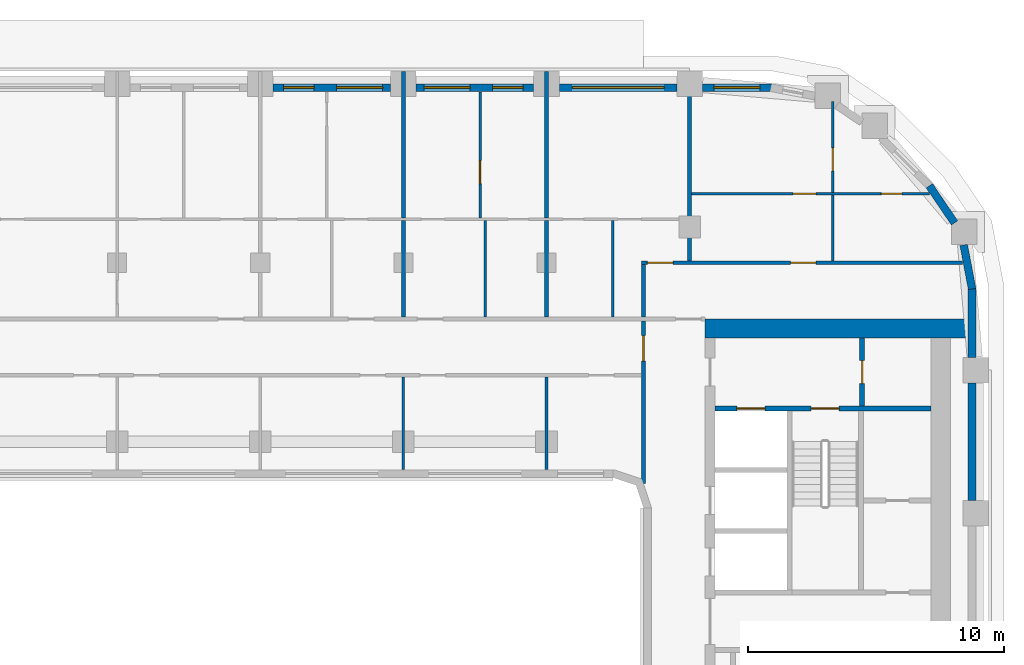
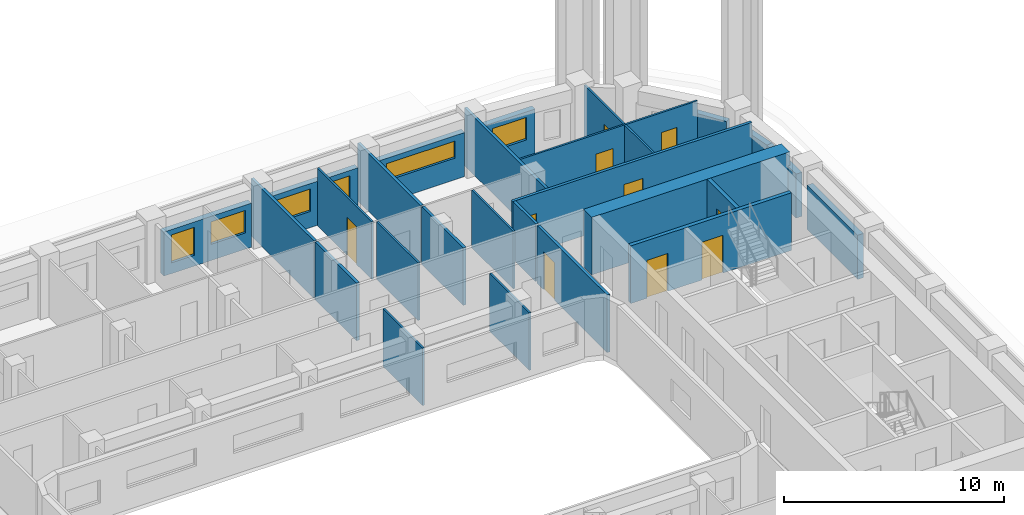
# One storey, part 9 of 22: 27 walls, 10 doors, 6 windows, 16 openings.
"""IFC4 building model written with IfcOpenShell, lengths in metres."""

from ifc_helpers import new_model, si_unit, direction, frame, frame_2d, origin, place, context, subcontext, project, spatial, rectangle, extrude, material, layer, layer_set, type_object, element, fill, save


model = new_model("IFC4")

# Units and contexts
model_context = context("Model", 3, precision=1e-05, world=origin(), true_north=direction((0.0, 1.0)))
body_context = subcontext(model_context, "Body", "Model", "MODEL_VIEW")
ifc_project = project(units=[si_unit("LENGTHUNIT", "METRE"), si_unit("AREAUNIT", "SQUARE_METRE"), si_unit("VOLUMEUNIT", "CUBIC_METRE"), si_unit("PLANEANGLEUNIT", "RADIAN"), si_unit("MASSUNIT", "GRAM", prefix="KILO")], contexts=[model_context])

# Site, building, storey
site_placement = place(None, origin())
site = spatial("IfcSite", under=ifc_project, at=site_placement, CompositionType="ELEMENT")
building_placement = place(site_placement, origin())
building = spatial("IfcBuilding", under=site, at=building_placement, Name="Kiln Ring Residences", CompositionType="ELEMENT")
storey_placement = place(building_placement, frame((0.0, 0.0, 160.60009765625)))
storey = spatial("IfcBuildingStorey", under=building, at=storey_placement, Name="L41", CompositionType="ELEMENT", Elevation=160.60009765625)

# Wall, opening, door
ifc_material_1 = material(Name="Gypsum board on steel studs", Category="steel")
ifc_layer_1 = layer(ifc_material_1, 0.199951171875)
ifc_layer_set_1 = layer_set([ifc_layer_1], Name="CORE-PARTITION-200")
wall_type_1 = type_object("IfcWallType", Name="CORE-PARTITION-200", PredefinedType="PARTITIONING", material=ifc_layer_set_1)
wall_1_placement = place(storey_placement, frame((23.550048828125, 9.800048828125, 0.0), z_axis=(0.0, 0.0, 1.0), x_axis=(0.0, 1.0, 0.0)))
wall_1 = element("IfcWall", 1, at=wall_1_placement, inside=storey, type_object=wall_type_1, Name="Core partition east L41 4", PredefinedType="PARTITIONING", context=body_context, shape_type="SweptSolid", body=[
    extrude(rectangle(XDim=2.64990234375, YDim=0.199951171875, at=frame_2d((1.324951171875, 0.0))), origin(), (0.0, 0.0, 1.0), 3.199951171875),
])
opening_1_placement = place(wall_1_placement, frame((0.875, 0.0, 0.0)))
opening_1 = element("IfcOpeningElement", 2, at=opening_1_placement, cuts=wall_1, Name="Opening L41-CE09", PredefinedType="OPENING", context=body_context, shape_type="SweptSolid", body=[
    extrude(rectangle(XDim=0.89990234375, YDim=2.10009765625, at=frame_2d((0.449951171875, 1.050048828125))), frame((0.0, 0.10986328125, 0.0), z_axis=(0.0, -1.0, 0.0), x_axis=(1.0, 0.0, 0.0)), (0.0, 0.0, 1.0), 0.219970703125),
])
ifc_material_2 = material(Name="Steel door leaf", Category="steel")
door_type_1 = type_object("IfcDoorType", Name="CORE-DOOR-ROOM", OperationType="SINGLE_SWING_LEFT", PredefinedType="DOOR", material=ifc_material_2)
door_1_placement = place(opening_1_placement, origin())
door_1 = element("IfcDoor", 3, at=door_1_placement, inside=storey, type_object=door_type_1, Name="Fire riser room L41-CE09", OperationType="SINGLE_SWING_RIGHT", OverallHeight=2.10009765625, OverallWidth=0.89990234375, PredefinedType="DOOR", context=body_context, shape_type="SweptSolid", body=[
    extrude(rectangle(XDim=0.89990234375, YDim=2.10009765625, at=frame_2d((0.449951171875, 1.050048828125))), frame((0.0, 0.02490234375, 0.0), z_axis=(0.0, -1.0, 0.0), x_axis=(1.0, 0.0, 0.0)), (0.0, 0.0, 1.0), 0.050048828125),
])
fill(opening_1, door_1)

# Wall, openings, doors
ifc_material_3 = material(Name="Concrete C40/50", Category="concrete")
ifc_layer_2 = layer(ifc_material_3, 0.199951171875)
ifc_layer_set_2 = layer_set([ifc_layer_2], Name="CORE-WALL-RC200")
wall_type_2 = type_object("IfcWallType", Name="CORE-WALL-RC200", PredefinedType="SHEAR", material=ifc_layer_set_2)
wall_2_placement = place(storey_placement, frame((17.800048828125, 9.699951171875, 0.0), z_axis=(0.0, 0.0, 1.0), x_axis=(1.0, 0.0, 0.0)))
wall_2 = element("IfcWall", 4, at=wall_2_placement, inside=storey, type_object=wall_type_2, Name="Core wall east L41 9", PredefinedType="SHEAR", context=body_context, shape_type="SweptSolid", body=[
    extrude(rectangle(XDim=8.449951171875, YDim=0.199951171875, at=frame_2d((4.22509765625, 0.0))), origin(), (0.0, 0.0, 1.0), 3.199951171875),
])
opening_2_placement = place(wall_2_placement, frame((0.85009765625, 0.0, 0.0)))
opening_2 = element("IfcOpeningElement", 5, at=opening_2_placement, cuts=wall_2, Name="Opening L41-CE06", PredefinedType="OPENING", context=body_context, shape_type="SweptSolid", body=[
    extrude(rectangle(XDim=1.10009765625, YDim=2.10009765625, at=frame_2d((0.550048828125, 1.050048828125))), frame((0.0, 0.10986328125, 0.0), z_axis=(0.0, -1.0, 0.0), x_axis=(1.0, 0.0, 0.0)), (0.0, 0.0, 1.0), 0.219970703125),
])
opening_3_placement = place(wall_2_placement, frame((3.75, 0.0, 0.0)))
opening_3 = element("IfcOpeningElement", 6, at=opening_3_placement, cuts=wall_2, Name="Opening L41-CE11", PredefinedType="OPENING", context=body_context, shape_type="SweptSolid", body=[
    extrude(rectangle(XDim=1.10009765625, YDim=2.10009765625, at=frame_2d((0.550048828125, 1.050048828125))), frame((0.0, 0.10986328125, 0.0), z_axis=(0.0, -1.0, 0.0), x_axis=(1.0, 0.0, 0.0)), (0.0, 0.0, 1.0), 0.219970703125),
])
ifc_material_4 = material(Name="Steel door leaf", Category="steel")
door_type_2 = type_object("IfcDoorType", Name="CORE-DOOR-LD", OperationType="DOUBLE_DOOR_SLIDING", PredefinedType="DOOR", material=ifc_material_4)
door_2_placement = place(opening_2_placement, origin())
door_2 = element("IfcDoor", 7, at=door_2_placement, inside=storey, type_object=door_type_2, Name="LD E-FF L41-CE06", OperationType="DOUBLE_DOOR_SLIDING", OverallHeight=2.10009765625, OverallWidth=1.10009765625, PredefinedType="DOOR", context=body_context, shape_type="SweptSolid", body=[
    extrude(rectangle(XDim=1.10009765625, YDim=2.10009765625, at=frame_2d((0.550048828125, 1.050048828125))), frame((0.0, 0.02490234375, 0.0), z_axis=(0.0, -1.0, 0.0), x_axis=(1.0, 0.0, 0.0)), (0.0, 0.0, 1.0), 0.050048828125),
])
fill(opening_2, door_2)
ifc_material_5 = material(Name="Steel door leaf", Category="steel")
door_type_3 = type_object("IfcDoorType", Name="CORE-DOOR-STAIR", OperationType="SINGLE_SWING_LEFT", PredefinedType="DOOR", material=ifc_material_5)
door_3_placement = place(opening_3_placement, origin())
door_3 = element("IfcDoor", 8, at=door_3_placement, inside=storey, type_object=door_type_3, Name="Stair E-STN L41-CE11", OperationType="SINGLE_SWING_RIGHT", OverallHeight=2.10009765625, OverallWidth=1.10009765625, PredefinedType="DOOR", context=body_context, shape_type="SweptSolid", body=[
    extrude(rectangle(XDim=1.10009765625, YDim=2.10009765625, at=frame_2d((0.550048828125, 1.050048828125))), frame((0.0, 0.02490234375, 0.0), z_axis=(0.0, -1.0, 0.0), x_axis=(1.0, 0.0, 0.0)), (0.0, 0.0, 1.0), 0.050048828125),
])
fill(opening_3, door_3)

# Walls
ifc_material_6 = material(Name="Concrete C60/75", Category="concrete")
ifc_layer_3 = layer(ifc_material_6, 0.75)
ifc_layer_set_3 = layer_set([ifc_layer_3], Name="CORE-WALL-RC750")
wall_type_3 = type_object("IfcWallType", Name="CORE-WALL-RC750", PredefinedType="SHEAR", material=ifc_layer_set_3)
wall_3_placement = place(storey_placement, frame((17.39990234375, 12.824951171875, 0.0), z_axis=(0.0, 0.0, 1.0), x_axis=(1.0, 0.0, 0.0)))
element("IfcWall", 9, at=wall_3_placement, inside=storey, type_object=wall_type_3, Name="Core wall east L41 4", PredefinedType="SHEAR", context=body_context, shape_type="SweptSolid", body=[
    extrude(rectangle(XDim=10.400146484375, YDim=0.75, at=frame_2d((5.2001953125, 0.0))), origin(), (0.0, 0.0, 1.0), 3.199951171875),
])
ifc_material_7 = material(Name="Brick masonry, dark clay brick", Category="masonry")
ifc_layer_4 = layer(ifc_material_7, 0.300048828125)
ifc_layer_set_4 = layer_set([ifc_layer_4], Name="EW-300 BRICK WALL")
wall_type_4 = type_object("IfcWallType", Name="EW-300 BRICK WALL", PredefinedType="SOLIDWALL", material=ifc_layer_set_4)
wall_4_placement = place(storey_placement, frame((27.85009765625, 6.10009765625, 0.0), z_axis=(0.0, 0.0, 1.0), x_axis=(0.0, 1.0, 0.0)))
element("IfcWall", 10, at=wall_4_placement, inside=storey, type_object=wall_type_4, Name="Facade wall L41 21", PredefinedType="SOLIDWALL", context=body_context, shape_type="SweptSolid", body=[
    extrude(rectangle(XDim=4.599853515625, YDim=0.300048828125, at=frame_2d((2.2998046875, 0.0))), origin(), (0.0, 0.0, 1.0), 2.449951171875),
])
wall_5_placement = place(storey_placement, frame((27.85009765625, 11.699951171875, 0.0), z_axis=(0.0, 0.0, 1.0), x_axis=(0.0, 1.0, 0.0)))
element("IfcWall", 11, at=wall_5_placement, inside=storey, type_object=wall_type_4, Name="Facade wall L41 22", PredefinedType="SOLIDWALL", context=body_context, shape_type="SweptSolid", body=[
    extrude(rectangle(XDim=2.699951171875, YDim=0.300048828125, at=frame_2d((1.35009765625, 0.0))), origin(), (0.0, 0.0, 1.0), 2.449951171875),
])
for number, where, z_axis, x_axis, name in (
    (12, (27.8525390625, 14.371826171875, 0.0), (0.0, 0.0, 1.0), (-0.187259034321, 0.982310569049, 0.0), "Facade wall L41 23"),
    (13, (27.166015625, 16.96044921875, 0.0), (0.0, 0.0, 1.0), (-0.562089443061, 0.82707645233, 0.0), "Facade wall L41 24"),
):
    element("IfcWall", number, at=place(storey_placement, frame(where, z_axis=z_axis, x_axis=x_axis)), inside=storey, type_object=wall_type_4, Name=name, PredefinedType="SOLIDWALL", context=body_context, shape_type="SweptSolid", body=[
        extrude(rectangle(XDim=1.756103515625, YDim=0.300048828125, at=frame_2d((0.8779296875, 0.0))), origin(), (0.0, 0.0, 1.0), 2.449951171875),
    ])

# Wall, opening, window
wall_6_placement = place(storey_placement, frame((20.0, 22.25, 0.0), z_axis=(0.0, 0.0, 1.0), x_axis=(-1.0, 0.0, 0.0)))
wall_6 = element("IfcWall", 14, at=wall_6_placement, inside=storey, type_object=wall_type_4, Name="Facade wall L41 28", PredefinedType="SOLIDWALL", context=body_context, shape_type="SweptSolid", body=[
    extrude(rectangle(XDim=2.699951171875, YDim=0.300048828125, at=frame_2d((1.35009765625, 0.0))), origin(), (0.0, 0.0, 1.0), 2.449951171875),
])
opening_4_placement = place(wall_6_placement, frame((0.449951171875, 0.0, 0.89990234375)))
opening_4 = element("IfcOpeningElement", 15, at=opening_4_placement, cuts=wall_6, Name="Opening W2", PredefinedType="OPENING", context=body_context, shape_type="SweptSolid", body=[
    extrude(rectangle(XDim=1.800048828125, YDim=1.25, at=frame_2d((0.89990234375, 0.625))), frame((0.0, 0.159912109375, 0.0), z_axis=(0.0, -1.0, 0.0), x_axis=(1.0, 0.0, 0.0)), (0.0, 0.0, 1.0), 0.320068359375),
])
ifc_material_8 = material(Name="Aluminium frame with double glazing", Category="aluminium")
window_type_1 = type_object("IfcWindowType", Name="WINDOW 1800 x 1250", PartitioningType="SINGLE_PANEL", PredefinedType="WINDOW", material=ifc_material_8)
window_1_placement = place(opening_4_placement, origin())
window_1 = element("IfcWindow", 16, at=window_1_placement, inside=storey, type_object=window_type_1, Name="Window L41 18", OverallHeight=1.25, OverallWidth=1.800048828125, PartitioningType="SINGLE_PANEL", PredefinedType="WINDOW", context=body_context, shape_type="SweptSolid", body=[
    extrude(rectangle(XDim=1.800048828125, YDim=1.25, at=frame_2d((0.89990234375, 0.625))), frame((0.0, 0.030029296875, 0.0), z_axis=(0.0, -1.0, 0.0), x_axis=(1.0, 0.0, 0.0)), (0.0, 0.0, 1.0), 0.06005859375),
])
fill(opening_4, window_1)

wall_7_placement = place(storey_placement, frame((16.300048828125, 22.25, 0.0), z_axis=(0.0, 0.0, 1.0), x_axis=(-1.0, 0.0, 0.0)))
wall_7 = element("IfcWall", 17, at=wall_7_placement, inside=storey, type_object=wall_type_4, Name="Facade wall L41 29", PredefinedType="SOLIDWALL", context=body_context, shape_type="SweptSolid", body=[
    extrude(rectangle(XDim=4.60009765625, YDim=0.300048828125, at=frame_2d((2.300048828125, 0.0))), origin(), (0.0, 0.0, 1.0), 2.449951171875),
])
opening_5_placement = place(wall_7_placement, frame((0.5, 0.0, 1.199951171875)))
opening_5 = element("IfcOpeningElement", 18, at=opening_5_placement, cuts=wall_7, Name="Opening W4", PredefinedType="OPENING", context=body_context, shape_type="SweptSolid", body=[
    extrude(rectangle(XDim=3.60009765625, YDim=0.949951171875, at=frame_2d((1.800048828125, 0.47509765625))), frame((0.0, 0.159912109375, 0.0), z_axis=(0.0, -1.0, 0.0), x_axis=(1.0, 0.0, 0.0)), (0.0, 0.0, 1.0), 0.320068359375),
])
ifc_material_9 = material(Name="Aluminium frame with double glazing", Category="aluminium")
window_type_2 = type_object("IfcWindowType", Name="WINDOW 3600 x 950", PartitioningType="SINGLE_PANEL", PredefinedType="WINDOW", material=ifc_material_9)
window_2_placement = place(opening_5_placement, origin())
window_2 = element("IfcWindow", 19, at=window_2_placement, inside=storey, type_object=window_type_2, Name="Window L41 19", OverallHeight=0.949951171875, OverallWidth=3.60009765625, PartitioningType="SINGLE_PANEL", PredefinedType="WINDOW", context=body_context, shape_type="SweptSolid", body=[
    extrude(rectangle(XDim=3.60009765625, YDim=0.949951171875, at=frame_2d((1.800048828125, 0.47509765625))), frame((0.0, 0.030029296875, 0.0), z_axis=(0.0, -1.0, 0.0), x_axis=(1.0, 0.0, 0.0)), (0.0, 0.0, 1.0), 0.06005859375),
])
fill(opening_5, window_2)

# Wall, openings, windows
wall_8_placement = place(storey_placement, frame((10.699951171875, 22.25, 0.0), z_axis=(0.0, 0.0, 1.0), x_axis=(-1.0, 0.0, 0.0)))
wall_8 = element("IfcWall", 20, at=wall_8_placement, inside=storey, type_object=wall_type_4, Name="Facade wall L41 30", PredefinedType="SOLIDWALL", context=body_context, shape_type="SweptSolid", body=[
    extrude(rectangle(XDim=4.599853515625, YDim=0.300048828125, at=frame_2d((2.2998046875, 0.0))), origin(), (0.0, 0.0, 1.0), 2.449951171875),
])
opening_6_placement = place(wall_8_placement, frame((0.41259765625, 0.0, 0.60009765625)))
opening_6 = element("IfcOpeningElement", 21, at=opening_6_placement, cuts=wall_8, Name="Opening W1", PredefinedType="OPENING", context=body_context, shape_type="SweptSolid", body=[
    extrude(rectangle(XDim=1.199951171875, YDim=1.550048828125, at=frame_2d((0.60009765625, 0.77490234375))), frame((0.0, 0.159912109375, 0.0), z_axis=(0.0, -1.0, 0.0), x_axis=(1.0, 0.0, 0.0)), (0.0, 0.0, 1.0), 0.320068359375),
])
opening_7_placement = place(wall_8_placement, frame((2.487548828125, 0.0, 0.89990234375)))
opening_7 = element("IfcOpeningElement", 22, at=opening_7_placement, cuts=wall_8, Name="Opening W2", PredefinedType="OPENING", context=body_context, shape_type="SweptSolid", body=[
    extrude(rectangle(XDim=1.800048828125, YDim=1.25, at=frame_2d((0.89990234375, 0.625))), frame((0.0, 0.159912109375, 0.0), z_axis=(0.0, -1.0, 0.0), x_axis=(1.0, 0.0, 0.0)), (0.0, 0.0, 1.0), 0.320068359375),
])
ifc_material_10 = material(Name="Aluminium frame with double glazing", Category="aluminium")
window_type_3 = type_object("IfcWindowType", Name="WINDOW 1200 x 1550", PartitioningType="SINGLE_PANEL", PredefinedType="WINDOW", material=ifc_material_10)
window_3_placement = place(opening_6_placement, origin())
window_3 = element("IfcWindow", 23, at=window_3_placement, inside=storey, type_object=window_type_3, Name="Window L41 20", OverallHeight=1.550048828125, OverallWidth=1.199951171875, PartitioningType="SINGLE_PANEL", PredefinedType="WINDOW", context=body_context, shape_type="SweptSolid", body=[
    extrude(rectangle(XDim=1.199951171875, YDim=1.550048828125, at=frame_2d((0.60009765625, 0.77490234375))), frame((0.0, 0.030029296875, 0.0), z_axis=(0.0, -1.0, 0.0), x_axis=(1.0, 0.0, 0.0)), (0.0, 0.0, 1.0), 0.06005859375),
])
fill(opening_6, window_3)
window_4_placement = place(opening_7_placement, origin())
window_4 = element("IfcWindow", 24, at=window_4_placement, inside=storey, type_object=window_type_1, Name="Window L41 21", OverallHeight=1.25, OverallWidth=1.800048828125, PartitioningType="SINGLE_PANEL", PredefinedType="WINDOW", context=body_context, shape_type="SweptSolid", body=[
    extrude(rectangle(XDim=1.800048828125, YDim=1.25, at=frame_2d((0.89990234375, 0.625))), frame((0.0, 0.030029296875, 0.0), z_axis=(0.0, -1.0, 0.0), x_axis=(1.0, 0.0, 0.0)), (0.0, 0.0, 1.0), 0.06005859375),
])
fill(opening_7, window_4)

wall_9_placement = place(storey_placement, frame((5.10009765625, 22.25, 0.0), z_axis=(0.0, 0.0, 1.0), x_axis=(-1.0, 0.0, 0.0)))
wall_9 = element("IfcWall", 25, at=wall_9_placement, inside=storey, type_object=wall_type_4, Name="Facade wall L41 31", PredefinedType="SOLIDWALL", context=body_context, shape_type="SweptSolid", body=[
    extrude(rectangle(XDim=4.60009765625, YDim=0.300048828125, at=frame_2d((2.300048828125, 0.0))), origin(), (0.0, 0.0, 1.0), 2.449951171875),
])
opening_8_placement = place(wall_9_placement, frame((0.3125, 0.0, 0.89990234375)))
opening_8 = element("IfcOpeningElement", 26, at=opening_8_placement, cuts=wall_9, Name="Opening W2", PredefinedType="OPENING", context=body_context, shape_type="SweptSolid", body=[
    extrude(rectangle(XDim=1.800048828125, YDim=1.25, at=frame_2d((0.89990234375, 0.625))), frame((0.0, 0.159912109375, 0.0), z_axis=(0.0, -1.0, 0.0), x_axis=(1.0, 0.0, 0.0)), (0.0, 0.0, 1.0), 0.320068359375),
])
opening_9_placement = place(wall_9_placement, frame((2.987548828125, 0.0, 0.60009765625)))
opening_9 = element("IfcOpeningElement", 27, at=opening_9_placement, cuts=wall_9, Name="Opening W1", PredefinedType="OPENING", context=body_context, shape_type="SweptSolid", body=[
    extrude(rectangle(XDim=1.199951171875, YDim=1.550048828125, at=frame_2d((0.60009765625, 0.77490234375))), frame((0.0, 0.159912109375, 0.0), z_axis=(0.0, -1.0, 0.0), x_axis=(1.0, 0.0, 0.0)), (0.0, 0.0, 1.0), 0.320068359375),
])
window_5_placement = place(opening_9_placement, origin())
window_5 = element("IfcWindow", 28, at=window_5_placement, inside=storey, type_object=window_type_3, Name="Window L41 23", OverallHeight=1.550048828125, OverallWidth=1.199951171875, PartitioningType="SINGLE_PANEL", PredefinedType="WINDOW", context=body_context, shape_type="SweptSolid", body=[
    extrude(rectangle(XDim=1.199951171875, YDim=1.550048828125, at=frame_2d((0.60009765625, 0.77490234375))), frame((0.0, 0.030029296875, 0.0), z_axis=(0.0, -1.0, 0.0), x_axis=(1.0, 0.0, 0.0)), (0.0, 0.0, 1.0), 0.06005859375),
])
fill(opening_9, window_5)
window_6_placement = place(opening_8_placement, origin())
window_6 = element("IfcWindow", 29, at=window_6_placement, inside=storey, type_object=window_type_1, Name="Window L41 22", OverallHeight=1.25, OverallWidth=1.800048828125, PartitioningType="SINGLE_PANEL", PredefinedType="WINDOW", context=body_context, shape_type="SweptSolid", body=[
    extrude(rectangle(XDim=1.800048828125, YDim=1.25, at=frame_2d((0.89990234375, 0.625))), frame((0.0, 0.030029296875, 0.0), z_axis=(0.0, -1.0, 0.0), x_axis=(1.0, 0.0, 0.0)), (0.0, 0.0, 1.0), 0.06005859375),
])
fill(opening_8, window_6)

# Wall, openings, doors
ifc_material_11 = material(Name="Gypsum board on steel studs", Category="steel")
ifc_layer_5 = layer(ifc_material_11, 0.10009765625)
ifc_layer_set_5 = layer_set([ifc_layer_5], Name="PARTITION-100")
wall_type_5 = type_object("IfcWallType", Name="PARTITION-100", PredefinedType="PARTITIONING", material=ifc_layer_set_5)
wall_10_placement = place(storey_placement, frame((16.875, 18.10009765625, 0.0), z_axis=(0.0, 0.0, 1.0), x_axis=(1.0, 0.0, 0.0)))
wall_10 = element("IfcWall", 30, at=wall_10_placement, inside=storey, type_object=wall_type_5, Name="Partition 013", PredefinedType="PARTITIONING", context=body_context, shape_type="SweptSolid", body=[
    extrude(rectangle(XDim=9.315185546875, YDim=0.10009765625, at=frame_2d((4.65771484375, 0.0))), origin(), (0.0, 0.0, 1.0), 3.199951171875),
])
opening_10_placement = place(wall_10_placement, frame((7.425048828125, 0.0, 0.0)))
opening_10 = element("IfcOpeningElement", 31, at=opening_10_placement, cuts=wall_10, Name="Opening L41-D034", PredefinedType="OPENING", context=body_context, shape_type="SweptSolid", body=[
    extrude(rectangle(XDim=0.800048828125, YDim=2.10009765625, at=frame_2d((0.39990234375, 1.050048828125))), frame((0.0, 0.06005859375, 0.0), z_axis=(0.0, -1.0, 0.0), x_axis=(1.0, 0.0, 0.0)), (0.0, 0.0, 1.0), 0.1201171875),
])
opening_11_placement = place(wall_10_placement, frame((3.97509765625, 0.0, 0.0)))
opening_11 = element("IfcOpeningElement", 32, at=opening_11_placement, cuts=wall_10, Name="Opening L41-D035", PredefinedType="OPENING", context=body_context, shape_type="SweptSolid", body=[
    extrude(rectangle(XDim=0.89990234375, YDim=2.10009765625, at=frame_2d((0.449951171875, 1.050048828125))), frame((0.0, 0.06005859375, 0.0), z_axis=(0.0, -1.0, 0.0), x_axis=(1.0, 0.0, 0.0)), (0.0, 0.0, 1.0), 0.1201171875),
])
ifc_material_12 = material(Name="Timber door leaf", Category="wood")
door_type_4 = type_object("IfcDoorType", Name="FLAT-DOOR-800-PL", OperationType="SINGLE_SWING_LEFT", PredefinedType="DOOR", material=ifc_material_12)
door_4_placement = place(opening_10_placement, origin())
door_4 = element("IfcDoor", 33, at=door_4_placement, inside=storey, type_object=door_type_4, Name="Door L41-D034", OperationType="SINGLE_SWING_RIGHT", OverallHeight=2.10009765625, OverallWidth=0.800048828125, PredefinedType="DOOR", context=body_context, shape_type="SweptSolid", body=[
    extrude(rectangle(XDim=0.800048828125, YDim=2.10009765625, at=frame_2d((0.39990234375, 1.050048828125))), frame((0.0, 0.02490234375, 0.0), z_axis=(0.0, -1.0, 0.0), x_axis=(1.0, 0.0, 0.0)), (0.0, 0.0, 1.0), 0.050048828125),
])
fill(opening_10, door_4)
ifc_material_13 = material(Name="Timber door leaf", Category="wood")
door_type_5 = type_object("IfcDoorType", Name="FLAT-DOOR-900-PL", OperationType="SINGLE_SWING_LEFT", PredefinedType="DOOR", material=ifc_material_13)
door_5_placement = place(opening_11_placement, origin())
door_5 = element("IfcDoor", 34, at=door_5_placement, inside=storey, type_object=door_type_5, Name="Door L41-D035", OperationType="SINGLE_SWING_LEFT", OverallHeight=2.10009765625, OverallWidth=0.89990234375, PredefinedType="DOOR", context=body_context, shape_type="SweptSolid", body=[
    extrude(rectangle(XDim=0.89990234375, YDim=2.10009765625, at=frame_2d((0.449951171875, 1.050048828125))), frame((0.0, 0.02490234375, 0.0), z_axis=(0.0, -1.0, 0.0), x_axis=(1.0, 0.0, 0.0)), (0.0, 0.0, 1.0), 0.050048828125),
])
fill(opening_11, door_5)

# Wall
wall_11_placement = place(storey_placement, frame((5.60009765625, 7.320068359375, 0.0), z_axis=(0.0, 0.0, 1.0), x_axis=(0.0, 1.0, 0.0)))
element("IfcWall", 35, at=wall_11_placement, inside=storey, type_object=wall_type_5, Name="Partition 051", PredefinedType="PARTITIONING", context=body_context, shape_type="SweptSolid", body=[
    extrude(rectangle(XDim=3.60498046875, YDim=0.10009765625, at=frame_2d((1.802490234375, 0.0))), origin(), (0.0, 0.0, 1.0), 3.199951171875),
])

# Wall, opening, door
wall_12_placement = place(storey_placement, frame((8.60009765625, 17.14990234375, 0.0), z_axis=(0.0, 0.0, 1.0), x_axis=(0.0, 1.0, 0.0)))
wall_12 = element("IfcWall", 36, at=wall_12_placement, inside=storey, type_object=wall_type_5, Name="Partition 057", PredefinedType="PARTITIONING", context=body_context, shape_type="SweptSolid", body=[
    extrude(rectangle(XDim=4.93017578125, YDim=0.10009765625, at=frame_2d((2.465087890625, 0.0))), origin(), (0.0, 0.0, 1.0), 3.199951171875),
])
opening_12_placement = place(wall_12_placement, frame((1.35009765625, 0.0, 0.0)))
opening_12 = element("IfcOpeningElement", 37, at=opening_12_placement, cuts=wall_12, Name="Opening L41-D029", PredefinedType="OPENING", context=body_context, shape_type="SweptSolid", body=[
    extrude(rectangle(XDim=0.89990234375, YDim=2.10009765625, at=frame_2d((0.449951171875, 1.050048828125))), frame((0.0, 0.06005859375, 0.0), z_axis=(0.0, -1.0, 0.0), x_axis=(1.0, 0.0, 0.0)), (0.0, 0.0, 1.0), 0.1201171875),
])
door_6_placement = place(opening_12_placement, origin())
door_6 = element("IfcDoor", 38, at=door_6_placement, inside=storey, type_object=door_type_5, Name="Door L41-D029", OperationType="SINGLE_SWING_LEFT", OverallHeight=2.10009765625, OverallWidth=0.89990234375, PredefinedType="DOOR", context=body_context, shape_type="SweptSolid", body=[
    extrude(rectangle(XDim=0.89990234375, YDim=2.10009765625, at=frame_2d((0.449951171875, 1.050048828125))), frame((0.0, 0.02490234375, 0.0), z_axis=(0.0, -1.0, 0.0), x_axis=(1.0, 0.0, 0.0)), (0.0, 0.0, 1.0), 0.050048828125),
])
fill(opening_12, door_6)

# Walls
wall_13_placement = place(storey_placement, frame((8.800048828125, 13.27490234375, 0.0), z_axis=(0.0, 0.0, 1.0), x_axis=(0.0, 1.0, 0.0)))
element("IfcWall", 39, at=wall_13_placement, inside=storey, type_object=wall_type_5, Name="Partition 058", PredefinedType="PARTITIONING", context=body_context, shape_type="SweptSolid", body=[
    extrude(rectangle(XDim=3.775146484375, YDim=0.10009765625, at=frame_2d((1.8876953125, 0.0))), origin(), (0.0, 0.0, 1.0), 3.199951171875),
])
wall_14_placement = place(storey_placement, frame((11.199951171875, 7.320068359375, 0.0), z_axis=(0.0, 0.0, 1.0), x_axis=(0.0, 1.0, 0.0)))
element("IfcWall", 40, at=wall_14_placement, inside=storey, type_object=wall_type_5, Name="Partition 062", PredefinedType="PARTITIONING", context=body_context, shape_type="SweptSolid", body=[
    extrude(rectangle(XDim=3.60498046875, YDim=0.10009765625, at=frame_2d((1.802490234375, 0.0))), origin(), (0.0, 0.0, 1.0), 3.199951171875),
])
wall_15_placement = place(storey_placement, frame((13.800048828125, 13.27490234375, 0.0), z_axis=(0.0, 0.0, 1.0), x_axis=(0.0, 1.0, 0.0)))
element("IfcWall", 41, at=wall_15_placement, inside=storey, type_object=wall_type_5, Name="Partition 066", PredefinedType="PARTITIONING", context=body_context, shape_type="SweptSolid", body=[
    extrude(rectangle(XDim=3.775146484375, YDim=0.10009765625, at=frame_2d((1.8876953125, 0.0))), origin(), (0.0, 0.0, 1.0), 3.199951171875),
])
wall_16_placement = place(storey_placement, frame((22.39990234375, 15.47509765625, 0.0), z_axis=(0.0, 0.0, 1.0), x_axis=(0.0, 1.0, 0.0)))
element("IfcWall", 42, at=wall_16_placement, inside=storey, type_object=wall_type_5, Name="Partition 075", PredefinedType="PARTITIONING", context=body_context, shape_type="SweptSolid", body=[
    extrude(rectangle(XDim=2.574951171875, YDim=0.10009765625, at=frame_2d((1.28759765625, 0.0))), origin(), (0.0, 0.0, 1.0), 3.199951171875),
])

# Wall, opening, door
wall_17_placement = place(storey_placement, frame((22.39990234375, 18.14990234375, 0.0), z_axis=(0.0, 0.0, 1.0), x_axis=(0.0, 1.0, 0.0)))
wall_17 = element("IfcWall", 43, at=wall_17_placement, inside=storey, type_object=wall_type_5, Name="Partition 076", PredefinedType="PARTITIONING", context=body_context, shape_type="SweptSolid", body=[
    extrude(rectangle(XDim=3.570068359375, YDim=0.10009765625, at=frame_2d((1.78515625, 0.0))), origin(), (0.0, 0.0, 1.0), 3.199951171875),
])
opening_13_placement = place(wall_17_placement, frame((0.85009765625, 0.0, 0.0)))
opening_13 = element("IfcOpeningElement", 44, at=opening_13_placement, cuts=wall_17, Name="Opening L41-D036", PredefinedType="OPENING", context=body_context, shape_type="SweptSolid", body=[
    extrude(rectangle(XDim=0.89990234375, YDim=2.10009765625, at=frame_2d((0.449951171875, 1.050048828125))), frame((0.0, 0.06005859375, 0.0), z_axis=(0.0, -1.0, 0.0), x_axis=(1.0, 0.0, 0.0)), (0.0, 0.0, 1.0), 0.1201171875),
])
door_7_placement = place(opening_13_placement, origin())
door_7 = element("IfcDoor", 45, at=door_7_placement, inside=storey, type_object=door_type_5, Name="Door L41-D036", OperationType="SINGLE_SWING_LEFT", OverallHeight=2.10009765625, OverallWidth=0.89990234375, PredefinedType="DOOR", context=body_context, shape_type="SweptSolid", body=[
    extrude(rectangle(XDim=0.89990234375, YDim=2.10009765625, at=frame_2d((0.449951171875, 1.050048828125))), frame((0.0, 0.02490234375, 0.0), z_axis=(0.0, -1.0, 0.0), x_axis=(1.0, 0.0, 0.0)), (0.0, 0.0, 1.0), 0.050048828125),
])
fill(opening_13, door_7)

# Wall, openings, doors
ifc_material_14 = material(Name="Brick masonry partition", Category="masonry")
ifc_layer_6 = layer(ifc_material_14, 0.14990234375)
ifc_layer_set_6 = layer_set([ifc_layer_6], Name="PARTITION-150-ei60")
wall_type_6 = type_object("IfcWallType", Name="PARTITION-150-ei60", PredefinedType="PARTITIONING", material=ifc_layer_set_6)
wall_18_placement = place(storey_placement, frame((14.925048828125, 15.39990234375, 0.0), z_axis=(0.0, 0.0, 1.0), x_axis=(1.0, 0.0, 0.0)))
wall_18 = element("IfcWall", 46, at=wall_18_placement, inside=storey, type_object=wall_type_6, Name="Partition 010", PredefinedType="PARTITIONING", context=body_context, shape_type="SweptSolid", body=[
    extrude(rectangle(XDim=12.558837890625, YDim=0.14990234375, at=frame_2d((6.279296875, 0.0))), origin(), (0.0, 0.0, 1.0), 3.199951171875),
])
opening_14_placement = place(wall_18_placement, frame((0.22509765625, 0.0, 0.0)))
opening_14 = element("IfcOpeningElement", 47, at=opening_14_placement, cuts=wall_18, Name="Opening L41-D030", PredefinedType="OPENING", context=body_context, shape_type="SweptSolid", body=[
    extrude(rectangle(XDim=1.0, YDim=2.10009765625, at=frame_2d((0.5, 1.050048828125))), frame((0.0, 0.0849609375, 0.0), z_axis=(0.0, -1.0, 0.0), x_axis=(1.0, 0.0, 0.0)), (0.0, 0.0, 1.0), 0.169921875),
])
opening_15_placement = place(wall_18_placement, frame((5.824951171875, 0.0, 0.0)))
opening_15 = element("IfcOpeningElement", 48, at=opening_15_placement, cuts=wall_18, Name="Opening L41-D033", PredefinedType="OPENING", context=body_context, shape_type="SweptSolid", body=[
    extrude(rectangle(XDim=1.0, YDim=2.10009765625, at=frame_2d((0.5, 1.050048828125))), frame((0.0, 0.0849609375, 0.0), z_axis=(0.0, -1.0, 0.0), x_axis=(1.0, 0.0, 0.0)), (0.0, 0.0, 1.0), 0.169921875),
])
ifc_material_15 = material(Name="Steel faced fire door leaf", Category="steel")
door_type_6 = type_object("IfcDoorType", Name="FLAT-DOOR-1000-FR", OperationType="SINGLE_SWING_LEFT", PredefinedType="DOOR", material=ifc_material_15)
door_8_placement = place(opening_14_placement, origin())
door_8 = element("IfcDoor", 49, at=door_8_placement, inside=storey, type_object=door_type_6, Name="Door L41-D030", OperationType="SINGLE_SWING_RIGHT", OverallHeight=2.10009765625, OverallWidth=1.0, PredefinedType="DOOR", context=body_context, shape_type="SweptSolid", body=[
    extrude(rectangle(XDim=1.0, YDim=2.10009765625, at=frame_2d((0.5, 1.050048828125))), frame((0.0, 0.02490234375, 0.0), z_axis=(0.0, -1.0, 0.0), x_axis=(1.0, 0.0, 0.0)), (0.0, 0.0, 1.0), 0.050048828125),
])
fill(opening_14, door_8)
door_9_placement = place(opening_15_placement, origin())
door_9 = element("IfcDoor", 50, at=door_9_placement, inside=storey, type_object=door_type_6, Name="Door L41-D033", OperationType="SINGLE_SWING_LEFT", OverallHeight=2.10009765625, OverallWidth=1.0, PredefinedType="DOOR", context=body_context, shape_type="SweptSolid", body=[
    extrude(rectangle(XDim=1.0, YDim=2.10009765625, at=frame_2d((0.5, 1.050048828125))), frame((0.0, 0.02490234375, 0.0), z_axis=(0.0, -1.0, 0.0), x_axis=(1.0, 0.0, 0.0)), (0.0, 0.0, 1.0), 0.050048828125),
])
fill(opening_15, door_9)

# Walls
wall_19_placement = place(storey_placement, frame((5.60009765625, 13.27490234375, 0.0), z_axis=(0.0, 0.0, 1.0), x_axis=(0.0, 1.0, 0.0)))
element("IfcWall", 51, at=wall_19_placement, inside=storey, type_object=wall_type_6, Name="Partition 054", PredefinedType="PARTITIONING", context=body_context, shape_type="SweptSolid", body=[
    extrude(rectangle(XDim=3.775146484375, YDim=0.14990234375, at=frame_2d((1.8876953125, 0.0))), origin(), (0.0, 0.0, 1.0), 3.199951171875),
])
wall_20_placement = place(storey_placement, frame((5.60009765625, 17.14990234375, 0.0), z_axis=(0.0, 0.0, 1.0), x_axis=(0.0, 1.0, 0.0)))
element("IfcWall", 52, at=wall_20_placement, inside=storey, type_object=wall_type_6, Name="Partition 055", PredefinedType="PARTITIONING", context=body_context, shape_type="SweptSolid", body=[
    extrude(rectangle(XDim=5.72998046875, YDim=0.14990234375, at=frame_2d((2.864990234375, 0.0))), origin(), (0.0, 0.0, 1.0), 3.199951171875),
])
wall_21_placement = place(storey_placement, frame((11.199951171875, 13.27490234375, 0.0), z_axis=(0.0, 0.0, 1.0), x_axis=(0.0, 1.0, 0.0)))
element("IfcWall", 53, at=wall_21_placement, inside=storey, type_object=wall_type_6, Name="Partition 063", PredefinedType="PARTITIONING", context=body_context, shape_type="SweptSolid", body=[
    extrude(rectangle(XDim=3.775146484375, YDim=0.14990234375, at=frame_2d((1.8876953125, 0.0))), origin(), (0.0, 0.0, 1.0), 3.199951171875),
])
wall_22_placement = place(storey_placement, frame((11.199951171875, 17.14990234375, 0.0), z_axis=(0.0, 0.0, 1.0), x_axis=(0.0, 1.0, 0.0)))
element("IfcWall", 54, at=wall_22_placement, inside=storey, type_object=wall_type_6, Name="Partition 064", PredefinedType="PARTITIONING", context=body_context, shape_type="SweptSolid", body=[
    extrude(rectangle(XDim=5.72998046875, YDim=0.14990234375, at=frame_2d((2.864990234375, 0.0))), origin(), (0.0, 0.0, 1.0), 3.199951171875),
])

# Wall, opening, door
wall_23_placement = place(storey_placement, frame((15.0, 6.768798828125, 0.0), z_axis=(0.0, 0.0, 1.0), x_axis=(0.0, 1.0, 0.0)))
wall_23 = element("IfcWall", 55, at=wall_23_placement, inside=storey, type_object=wall_type_6, Name="Partition 069", PredefinedType="PARTITIONING", context=body_context, shape_type="SweptSolid", body=[
    extrude(rectangle(XDim=6.356201171875, YDim=0.14990234375, at=frame_2d((3.17822265625, 0.0))), origin(), (0.0, 0.0, 1.0), 3.199951171875),
])
opening_16_placement = place(wall_23_placement, frame((4.78125, 0.0, 0.0)))
opening_16 = element("IfcOpeningElement", 56, at=opening_16_placement, cuts=wall_23, Name="Opening L41-D002", PredefinedType="OPENING", context=body_context, shape_type="SweptSolid", body=[
    extrude(rectangle(XDim=1.0, YDim=2.10009765625, at=frame_2d((0.5, 1.050048828125))), frame((0.0, 0.0849609375, 0.0), z_axis=(0.0, -1.0, 0.0), x_axis=(1.0, 0.0, 0.0)), (0.0, 0.0, 1.0), 0.169921875),
])
door_10_placement = place(opening_16_placement, origin())
door_10 = element("IfcDoor", 57, at=door_10_placement, inside=storey, type_object=door_type_6, Name="Door L41-D002", OperationType="SINGLE_SWING_LEFT", OverallHeight=2.10009765625, OverallWidth=1.0, PredefinedType="DOOR", context=body_context, shape_type="SweptSolid", body=[
    extrude(rectangle(XDim=1.0, YDim=2.10009765625, at=frame_2d((0.5, 1.050048828125))), frame((0.0, 0.02490234375, 0.0), z_axis=(0.0, -1.0, 0.0), x_axis=(1.0, 0.0, 0.0)), (0.0, 0.0, 1.0), 0.050048828125),
])
fill(opening_16, door_10)

# Walls
wall_24_placement = place(storey_placement, frame((15.0, 13.27490234375, 0.0), z_axis=(0.0, 0.0, 1.0), x_axis=(0.0, 1.0, 0.0)))
element("IfcWall", 58, at=wall_24_placement, inside=storey, type_object=wall_type_6, Name="Partition 070", PredefinedType="PARTITIONING", context=body_context, shape_type="SweptSolid", body=[
    extrude(rectangle(XDim=2.050048828125, YDim=0.14990234375, at=frame_2d((1.02490234375, 0.0))), origin(), (0.0, 0.0, 1.0), 3.199951171875),
])
wall_25_placement = place(storey_placement, frame((16.800048828125, 15.47509765625, 0.0), z_axis=(0.0, 0.0, 1.0), x_axis=(0.0, 1.0, 0.0)))
element("IfcWall", 59, at=wall_25_placement, inside=storey, type_object=wall_type_6, Name="Partition 072", PredefinedType="PARTITIONING", context=body_context, shape_type="SweptSolid", body=[
    extrude(rectangle(XDim=7.40478515625, YDim=0.14990234375, at=frame_2d((3.702392578125, 0.0))), origin(), (0.0, 0.0, 1.0), 3.199951171875),
])

save(model, "model.ifc")
